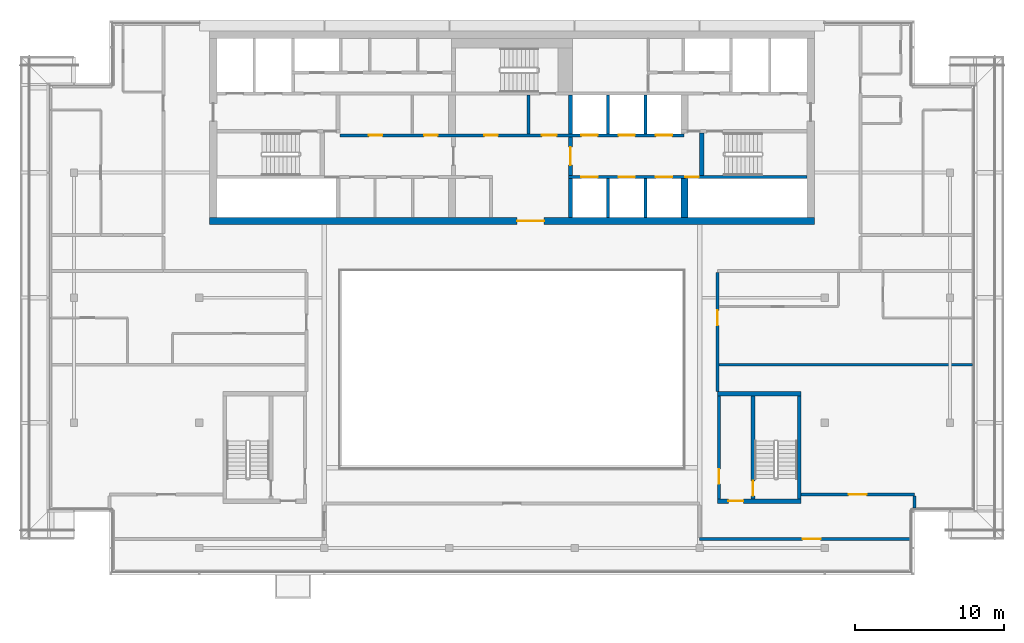
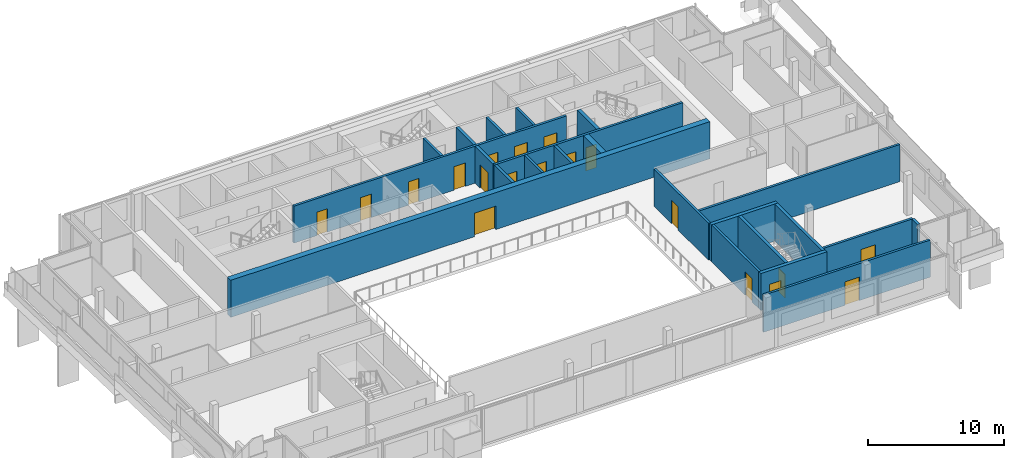
# One storey, part 12 of 19: 23 walls, 19 doors, 19 openings.
"""IFC4 building model written with IfcOpenShell, lengths in metres."""

from ifc_helpers import new_model, si_unit, direction, frame, frame_2d, origin, place, context, subcontext, project, spatial, rectangle, extrude, material, layer, layer_set, type_object, element, fill, save


model = new_model("IFC4")

# Units and contexts
model_context = context("Model", 3, precision=1e-05, world=origin(), true_north=direction((0.0, 1.0)))
body_context = subcontext(model_context, "Body", "Model", "MODEL_VIEW")
ifc_project = project(units=[si_unit("LENGTHUNIT", "METRE"), si_unit("AREAUNIT", "SQUARE_METRE"), si_unit("VOLUMEUNIT", "CUBIC_METRE"), si_unit("PLANEANGLEUNIT", "RADIAN"), si_unit("MASSUNIT", "GRAM", prefix="KILO")], contexts=[model_context])

# Site, building, storey
site_placement = place(None, origin())
site = spatial("IfcSite", under=ifc_project, at=site_placement, CompositionType="ELEMENT")
building_placement = place(site_placement, origin())
building = spatial("IfcBuilding", under=site, at=building_placement, Name="Saffron Gate Tower", CompositionType="ELEMENT")
storey_placement = place(building_placement, frame((0.0, 0.0, 292.35009765625)))
storey = spatial("IfcBuildingStorey", under=building, at=storey_placement, Name="L71", CompositionType="ELEMENT", Elevation=292.35009765625)

# Wall
ifc_material_1 = material(Name="Gypsum board partition on steel studs", Category="steel")
ifc_layer_1 = layer(ifc_material_1, 0.199951171875)
ifc_layer_set_1 = layer_set([ifc_layer_1], Name="CW10 Core partition 200")
wall_type_1 = type_object("IfcWallType", Name="CW10 Core partition 200", PredefinedType="PARTITIONING", material=ifc_layer_set_1)
wall_1_placement = place(storey_placement, frame((88.699951171875, 68.0, 0.0), z_axis=(0.0, 0.0, 1.0), x_axis=(0.0, 1.0, 0.0)))
element("IfcWall", 1, at=wall_1_placement, inside=storey, type_object=wall_type_1, Name="Wall CW10-L71-23", PredefinedType="PARTITIONING", context=body_context, shape_type="SweptSolid", body=[
    extrude(rectangle(XDim=2.60009765625, YDim=0.199951171875, at=frame_2d((1.300048828125, 0.0))), origin(), (0.0, 0.0, 1.0), 3.31982421875),
])

# Wall, opening, door
wall_2_placement = place(storey_placement, frame((101.5, 43.5, 0.0), z_axis=(0.0, 0.0, 1.0), x_axis=(0.0, 1.0, 0.0)))
wall_2 = element("IfcWall", 2, at=wall_2_placement, inside=storey, type_object=wall_type_1, Name="Wall CW10-L71-E-2", PredefinedType="PARTITIONING", context=body_context, shape_type="SweptSolid", body=[
    extrude(rectangle(XDim=6.89990234375, YDim=0.199951171875, at=frame_2d((3.449951171875, 0.0))), origin(), (0.0, 0.0, 1.0), 3.31982421875),
])
opening_1_placement = place(wall_2_placement, frame((1.0, 0.0, 0.0)))
opening_1 = element("IfcOpeningElement", 3, at=opening_1_placement, cuts=wall_2, Name="Opening CR-22", PredefinedType="OPENING", context=body_context, shape_type="SweptSolid", body=[
    extrude(rectangle(XDim=1.0, YDim=2.10009765625, at=frame_2d((0.5, 1.050048828125))), frame((0.0, 0.10986328125, 0.0), z_axis=(0.0, -1.0, 0.0), x_axis=(1.0, 0.0, 0.0)), (0.0, 0.0, 1.0), 0.219970703125),
])
ifc_material_2 = material(Name="Steel fire door set", Category="steel")
door_type_1 = type_object("IfcDoorType", Name="CD4 Lobby door 1000x2100 EI 120", OperationType="NOTDEFINED", PredefinedType="DOOR", material=ifc_material_2)
door_1_placement = place(opening_1_placement, origin())
door_1 = element("IfcDoor", 4, at=door_1_placement, inside=storey, type_object=door_type_1, Name="DOOR CR-22", OperationType="SINGLE_SWING_LEFT", OverallHeight=2.10009765625, OverallWidth=1.0, PredefinedType="DOOR", context=body_context, shape_type="SweptSolid", body=[
    extrude(rectangle(XDim=1.0, YDim=2.10009765625, at=frame_2d((0.5, 1.050048828125))), frame((0.0, 0.02490234375, 0.0), z_axis=(0.0, -1.0, 0.0), x_axis=(1.0, 0.0, 0.0)), (0.0, 0.0, 1.0), 0.050048828125),
])
fill(opening_1, door_1)

ifc_material_3 = material(Name="Concrete C50", Category="concrete")
ifc_layer_2 = layer(ifc_material_3, 0.5)
ifc_layer_set_2 = layer_set([ifc_layer_2], Name="CW22 RC core wall 500 C50")
wall_type_2 = type_object("IfcWallType", Name="CW22 RC core wall 500 C50", PredefinedType="SOLIDWALL", material=ifc_layer_set_2)
wall_3_placement = place(storey_placement, frame((67.300048828125, 62.14990234375, 0.0), z_axis=(0.0, 0.0, 1.0), x_axis=(1.0, 0.0, 0.0)))
wall_3 = element("IfcWall", 5, at=wall_3_placement, inside=storey, type_object=wall_type_2, Name="Wall CW22-L71-1", PredefinedType="SOLIDWALL", context=body_context, shape_type="SweptSolid", body=[
    extrude(rectangle(XDim=40.599853515625, YDim=0.5, at=frame_2d((20.2998046875, 0.0))), origin(), (0.0, 0.0, 1.0), 3.31982421875),
])
opening_2_placement = place(wall_3_placement, frame((20.64990234375, 0.0, 0.0)))
opening_2 = element("IfcOpeningElement", 6, at=opening_2_placement, cuts=wall_3, Name="Opening CR-09", PredefinedType="OPENING", context=body_context, shape_type="SweptSolid", body=[
    extrude(rectangle(XDim=1.800048828125, YDim=2.10009765625, at=frame_2d((0.89990234375, 1.050048828125))), frame((0.0, 0.260009765625, 0.0), z_axis=(0.0, -1.0, 0.0), x_axis=(1.0, 0.0, 0.0)), (0.0, 0.0, 1.0), 0.52001953125),
])
door_type_2 = type_object("IfcDoorType", Name="CD1 Core entrance door 1800x2100 EI 120", OperationType="NOTDEFINED", PredefinedType="DOOR", material=ifc_material_2)
door_2_placement = place(opening_2_placement, origin())
door_2 = element("IfcDoor", 7, at=door_2_placement, inside=storey, type_object=door_type_2, Name="DOOR CR-09", OperationType="DOUBLE_DOOR_SINGLE_SWING", OverallHeight=2.10009765625, OverallWidth=1.800048828125, PredefinedType="DOOR", context=body_context, shape_type="SweptSolid", body=[
    extrude(rectangle(XDim=1.800048828125, YDim=2.10009765625, at=frame_2d((0.89990234375, 1.050048828125))), frame((0.0, 0.02490234375, 0.0), z_axis=(0.0, -1.0, 0.0), x_axis=(1.0, 0.0, 0.0)), (0.0, 0.0, 1.0), 0.050048828125),
])
fill(opening_2, door_2)

# Wall
ifc_layer_3 = layer(ifc_material_3, 0.25)
ifc_layer_set_3 = layer_set([ifc_layer_3], Name="CW23 RC core wall 250 C50")
wall_type_3 = type_object("IfcWallType", Name="CW23 RC core wall 250 C50", PredefinedType="SOLIDWALL", material=ifc_layer_set_3)
wall_4_placement = place(storey_placement, frame((91.52490234375, 62.39990234375, 0.0), z_axis=(0.0, 0.0, 1.0), x_axis=(0.0, 1.0, 0.0)))
element("IfcWall", 8, at=wall_4_placement, inside=storey, type_object=wall_type_3, Name="Wall CW23-L71-10", PredefinedType="SOLIDWALL", context=body_context, shape_type="SweptSolid", body=[
    extrude(rectangle(XDim=2.60009765625, YDim=0.25, at=frame_2d((1.300048828125, 0.0))), origin(), (0.0, 0.0, 1.0), 3.31982421875),
])

# Wall, opening, door
wall_5_placement = place(storey_placement, frame((91.52490234375, 65.199951171875, 0.0), z_axis=(0.0, 0.0, 1.0), x_axis=(0.0, 1.0, 0.0)))
wall_5 = element("IfcWall", 9, at=wall_5_placement, inside=storey, type_object=wall_type_3, Name="Wall CW23-L71-18", PredefinedType="SOLIDWALL", context=body_context, shape_type="SweptSolid", body=[
    extrude(rectangle(XDim=2.60009765625, YDim=0.25, at=frame_2d((1.300048828125, 0.0))), origin(), (0.0, 0.0, 1.0), 3.31982421875),
])
opening_3_placement = place(wall_5_placement, frame((0.699951171875, 0.0, 0.0)))
opening_3 = element("IfcOpeningElement", 10, at=opening_3_placement, cuts=wall_5, Name="Opening CR-01", PredefinedType="OPENING", context=body_context, shape_type="SweptSolid", body=[
    extrude(rectangle(XDim=1.199951171875, YDim=2.10009765625, at=frame_2d((0.60009765625, 1.050048828125))), frame((0.0, 0.135009765625, 0.0), z_axis=(0.0, -1.0, 0.0), x_axis=(1.0, 0.0, 0.0)), (0.0, 0.0, 1.0), 0.27001953125),
])
door_type_3 = type_object("IfcDoorType", Name="CD3 Lobby door 1200x2100 EI 120", OperationType="NOTDEFINED", PredefinedType="DOOR", material=ifc_material_2)
door_3_placement = place(opening_3_placement, origin())
door_3 = element("IfcDoor", 11, at=door_3_placement, inside=storey, type_object=door_type_3, Name="DOOR CR-01", OperationType="SINGLE_SWING_RIGHT", OverallHeight=2.10009765625, OverallWidth=1.199951171875, PredefinedType="DOOR", context=body_context, shape_type="SweptSolid", body=[
    extrude(rectangle(XDim=1.199951171875, YDim=2.10009765625, at=frame_2d((0.60009765625, 1.050048828125))), frame((0.0, 0.02490234375, 0.0), z_axis=(0.0, -1.0, 0.0), x_axis=(1.0, 0.0, 0.0)), (0.0, 0.0, 1.0), 0.050048828125),
])
fill(opening_3, door_3)

# Wall
wall_6_placement = place(storey_placement, frame((91.52490234375, 68.0, 0.0), z_axis=(0.0, 0.0, 1.0), x_axis=(0.0, 1.0, 0.0)))
element("IfcWall", 12, at=wall_6_placement, inside=storey, type_object=wall_type_3, Name="Wall CW23-L71-24", PredefinedType="SOLIDWALL", context=body_context, shape_type="SweptSolid", body=[
    extrude(rectangle(XDim=2.60009765625, YDim=0.25, at=frame_2d((1.300048828125, 0.0))), origin(), (0.0, 0.0, 1.0), 3.31982421875),
])

# Wall, opening, door
wall_7_placement = place(storey_placement, frame((103.77490234375, 43.5, 0.0), z_axis=(0.0, 0.0, 1.0), x_axis=(0.0, 1.0, 0.0)))
wall_7 = element("IfcWall", 13, at=wall_7_placement, inside=storey, type_object=wall_type_3, Name="Wall CW23-L71-E-3", PredefinedType="SOLIDWALL", context=body_context, shape_type="SweptSolid", body=[
    extrude(rectangle(XDim=6.89990234375, YDim=0.25, at=frame_2d((3.449951171875, 0.0))), origin(), (0.0, 0.0, 1.0), 3.31982421875),
])
opening_4_placement = place(wall_7_placement, frame((0.199951171875, 0.0, 0.0)))
opening_4 = element("IfcOpeningElement", 14, at=opening_4_placement, cuts=wall_7, Name="Opening CR-23", PredefinedType="OPENING", context=body_context, shape_type="SweptSolid", body=[
    extrude(rectangle(XDim=1.0, YDim=2.10009765625, at=frame_2d((0.5, 1.050048828125))), frame((0.0, 0.135009765625, 0.0), z_axis=(0.0, -1.0, 0.0), x_axis=(1.0, 0.0, 0.0)), (0.0, 0.0, 1.0), 0.27001953125),
])
door_type_4 = type_object("IfcDoorType", Name="CD5 Stair door 1000x2100 EI 120", OperationType="NOTDEFINED", PredefinedType="DOOR", material=ifc_material_2)
door_4_placement = place(opening_4_placement, origin())
door_4 = element("IfcDoor", 15, at=door_4_placement, inside=storey, type_object=door_type_4, Name="DOOR CR-23", OperationType="SINGLE_SWING_RIGHT", OverallHeight=2.10009765625, OverallWidth=1.0, PredefinedType="DOOR", context=body_context, shape_type="SweptSolid", body=[
    extrude(rectangle(XDim=1.0, YDim=2.10009765625, at=frame_2d((0.5, 1.050048828125))), frame((0.0, 0.02490234375, 0.0), z_axis=(0.0, -1.0, 0.0), x_axis=(1.0, 0.0, 0.0)), (0.0, 0.0, 1.0), 0.050048828125),
])
fill(opening_4, door_4)

# Walls
wall_8_placement = place(storey_placement, frame((106.875, 43.5, 0.0), z_axis=(0.0, 0.0, 1.0), x_axis=(0.0, 1.0, 0.0)))
element("IfcWall", 16, at=wall_8_placement, inside=storey, type_object=wall_type_3, Name="Wall CW23-L71-E-4", PredefinedType="SOLIDWALL", context=body_context, shape_type="SweptSolid", body=[
    extrude(rectangle(XDim=6.89990234375, YDim=0.25, at=frame_2d((3.449951171875, 0.0))), origin(), (0.0, 0.0, 1.0), 3.31982421875),
])
ifc_layer_4 = layer(ifc_material_3, 0.449951171875)
ifc_layer_set_4 = layer_set([ifc_layer_4], Name="CW24 RC core wall 450 C50")
wall_type_4 = type_object("IfcWallType", Name="CW24 RC core wall 450 C50", PredefinedType="SOLIDWALL", material=ifc_layer_set_4)
wall_9_placement = place(storey_placement, frame((99.175048828125, 62.39990234375, 0.0), z_axis=(0.0, 0.0, 1.0), x_axis=(0.0, 1.0, 0.0)))
element("IfcWall", 17, at=wall_9_placement, inside=storey, type_object=wall_type_4, Name="Wall CW24-L71-13", PredefinedType="SOLIDWALL", context=body_context, shape_type="SweptSolid", body=[
    extrude(rectangle(XDim=2.60009765625, YDim=0.449951171875, at=frame_2d((1.300048828125, 0.0))), origin(), (0.0, 0.0, 1.0), 3.31982421875),
])
ifc_layer_5 = layer(ifc_material_3, 0.199951171875)
ifc_layer_set_5 = layer_set([ifc_layer_5], Name="CW25 RC core wall 200 C50")
wall_type_5 = type_object("IfcWallType", Name="CW25 RC core wall 200 C50", PredefinedType="SOLIDWALL", material=ifc_layer_set_5)
for number, where, z_axis, x_axis, name in (
    (18, (94.050048828125, 62.39990234375, 0.0), (0.0, 0.0, 1.0), (0.0, 1.0, 0.0), "Wall CW25-L71-11"),
    (19, (96.550048828125, 62.39990234375, 0.0), (0.0, 0.0, 1.0), (0.0, 1.0, 0.0), "Wall CW25-L71-12"),
):
    element("IfcWall", number, at=place(storey_placement, frame(where, z_axis=z_axis, x_axis=x_axis)), inside=storey, type_object=wall_type_5, Name=name, PredefinedType="SOLIDWALL", context=body_context, shape_type="SweptSolid", body=[
        extrude(rectangle(XDim=2.60009765625, YDim=0.199951171875, at=frame_2d((1.300048828125, 0.0))), origin(), (0.0, 0.0, 1.0), 3.31982421875),
    ])

# Wall, openings, doors
wall_10_placement = place(storey_placement, frame((91.39990234375, 65.10009765625, 0.0), z_axis=(0.0, 0.0, 1.0), x_axis=(1.0, 0.0, 0.0)))
wall_10 = element("IfcWall", 20, at=wall_10_placement, inside=storey, type_object=wall_type_5, Name="Wall CW25-L71-15", PredefinedType="SOLIDWALL", context=body_context, shape_type="SweptSolid", body=[
    extrude(rectangle(XDim=16.0, YDim=0.199951171875, at=frame_2d((8.0, 0.0))), origin(), (0.0, 0.0, 1.0), 3.31982421875),
])
opening_5_placement = place(wall_10_placement, frame((0.85009765625, 0.0, 0.0)))
opening_5 = element("IfcOpeningElement", 21, at=opening_5_placement, cuts=wall_10, Name="Opening LD-HR1", PredefinedType="OPENING", context=body_context, shape_type="SweptSolid", body=[
    extrude(rectangle(XDim=1.10009765625, YDim=2.10009765625, at=frame_2d((0.550048828125, 1.050048828125))), frame((0.0, 0.10986328125, 0.0), z_axis=(0.0, -1.0, 0.0), x_axis=(1.0, 0.0, 0.0)), (0.0, 0.0, 1.0), 0.219970703125),
])
opening_6_placement = place(wall_10_placement, frame((3.35009765625, 0.0, 0.0)))
opening_6 = element("IfcOpeningElement", 22, at=opening_6_placement, cuts=wall_10, Name="Opening LD-HR2", PredefinedType="OPENING", context=body_context, shape_type="SweptSolid", body=[
    extrude(rectangle(XDim=1.10009765625, YDim=2.10009765625, at=frame_2d((0.550048828125, 1.050048828125))), frame((0.0, 0.10986328125, 0.0), z_axis=(0.0, -1.0, 0.0), x_axis=(1.0, 0.0, 0.0)), (0.0, 0.0, 1.0), 0.219970703125),
])
opening_7_placement = place(wall_10_placement, frame((5.85009765625, 0.0, 0.0)))
opening_7 = element("IfcOpeningElement", 23, at=opening_7_placement, cuts=wall_10, Name="Opening LD-HR3", PredefinedType="OPENING", context=body_context, shape_type="SweptSolid", body=[
    extrude(rectangle(XDim=1.10009765625, YDim=2.10009765625, at=frame_2d((0.550048828125, 1.050048828125))), frame((0.0, 0.10986328125, 0.0), z_axis=(0.0, -1.0, 0.0), x_axis=(1.0, 0.0, 0.0)), (0.0, 0.0, 1.0), 0.219970703125),
])
opening_8_placement = place(wall_10_placement, frame((7.830078125, 0.0, 0.0)))
opening_8 = element("IfcOpeningElement", 24, at=opening_8_placement, cuts=wall_10, Name="Opening CR-48", PredefinedType="OPENING", context=body_context, shape_type="SweptSolid", body=[
    extrude(rectangle(XDim=0.89990234375, YDim=2.10009765625, at=frame_2d((0.449951171875, 1.050048828125))), frame((0.0, 0.10986328125, 0.0), z_axis=(0.0, -1.0, 0.0), x_axis=(1.0, 0.0, 0.0)), (0.0, 0.0, 1.0), 0.219970703125),
])
door_type_5 = type_object("IfcDoorType", Name="CD2 Riser door 900x2100 EI 60", OperationType="NOTDEFINED", PredefinedType="DOOR", material=ifc_material_2)
door_5_placement = place(opening_8_placement, origin())
door_5 = element("IfcDoor", 25, at=door_5_placement, inside=storey, type_object=door_type_5, Name="DOOR CR-48", OperationType="SINGLE_SWING_RIGHT", OverallHeight=2.10009765625, OverallWidth=0.89990234375, PredefinedType="DOOR", context=body_context, shape_type="SweptSolid", body=[
    extrude(rectangle(XDim=0.89990234375, YDim=2.10009765625, at=frame_2d((0.449951171875, 1.050048828125))), frame((0.0, 0.02490234375, 0.0), z_axis=(0.0, -1.0, 0.0), x_axis=(1.0, 0.0, 0.0)), (0.0, 0.0, 1.0), 0.050048828125),
])
fill(opening_8, door_5)
ifc_material_4 = material(Name="Stainless steel landing door", Category="steel")
door_type_6 = type_object("IfcDoorType", Name="LD Lift landing door 1100x2100 EI 120", OperationType="SLIDING_TO_LEFT", PredefinedType="DOOR", material=ifc_material_4)
door_6_placement = place(opening_5_placement, origin())
door_6 = element("IfcDoor", 26, at=door_6_placement, inside=storey, type_object=door_type_6, Name="LANDING DOOR LD-HR1", OperationType="SLIDING_TO_LEFT", OverallHeight=2.10009765625, OverallWidth=1.10009765625, PredefinedType="DOOR", context=body_context, shape_type="SweptSolid", body=[
    extrude(rectangle(XDim=1.10009765625, YDim=2.10009765625, at=frame_2d((0.550048828125, 1.050048828125))), frame((0.0, 0.02490234375, 0.0), z_axis=(0.0, -1.0, 0.0), x_axis=(1.0, 0.0, 0.0)), (0.0, 0.0, 1.0), 0.050048828125),
])
fill(opening_5, door_6)
door_7_placement = place(opening_6_placement, origin())
door_7 = element("IfcDoor", 27, at=door_7_placement, inside=storey, type_object=door_type_6, Name="LANDING DOOR LD-HR2", OperationType="SLIDING_TO_LEFT", OverallHeight=2.10009765625, OverallWidth=1.10009765625, PredefinedType="DOOR", context=body_context, shape_type="SweptSolid", body=[
    extrude(rectangle(XDim=1.10009765625, YDim=2.10009765625, at=frame_2d((0.550048828125, 1.050048828125))), frame((0.0, 0.02490234375, 0.0), z_axis=(0.0, -1.0, 0.0), x_axis=(1.0, 0.0, 0.0)), (0.0, 0.0, 1.0), 0.050048828125),
])
fill(opening_6, door_7)
door_8_placement = place(opening_7_placement, origin())
door_8 = element("IfcDoor", 28, at=door_8_placement, inside=storey, type_object=door_type_6, Name="LANDING DOOR LD-HR3", OperationType="SLIDING_TO_LEFT", OverallHeight=2.10009765625, OverallWidth=1.10009765625, PredefinedType="DOOR", context=body_context, shape_type="SweptSolid", body=[
    extrude(rectangle(XDim=1.10009765625, YDim=2.10009765625, at=frame_2d((0.550048828125, 1.050048828125))), frame((0.0, 0.02490234375, 0.0), z_axis=(0.0, -1.0, 0.0), x_axis=(1.0, 0.0, 0.0)), (0.0, 0.0, 1.0), 0.050048828125),
])
fill(opening_7, door_8)

wall_11_placement = place(storey_placement, frame((76.050048828125, 67.89990234375, 0.0), z_axis=(0.0, 0.0, 1.0), x_axis=(1.0, 0.0, 0.0)))
wall_11 = element("IfcWall", 29, at=wall_11_placement, inside=storey, type_object=wall_type_5, Name="Wall CW25-L71-20", PredefinedType="SOLIDWALL", context=body_context, shape_type="SweptSolid", body=[
    extrude(rectangle(XDim=23.099853515625, YDim=0.199951171875, at=frame_2d((11.5498046875, 0.0))), origin(), (0.0, 0.0, 1.0), 3.31982421875),
])
opening_9_placement = place(wall_11_placement, frame((1.949951171875, 0.0, 0.0)))
opening_9 = element("IfcOpeningElement", 30, at=opening_9_placement, cuts=wall_11, Name="Opening CR-61", PredefinedType="OPENING", context=body_context, shape_type="SweptSolid", body=[
    extrude(rectangle(XDim=0.89990234375, YDim=2.10009765625, at=frame_2d((0.449951171875, 1.050048828125))), frame((0.0, 0.10986328125, 0.0), z_axis=(0.0, -1.0, 0.0), x_axis=(1.0, 0.0, 0.0)), (0.0, 0.0, 1.0), 0.219970703125),
])
opening_10_placement = place(wall_11_placement, frame((5.659912109375, 0.0, 0.0)))
opening_10 = element("IfcOpeningElement", 31, at=opening_10_placement, cuts=wall_11, Name="Opening CR-62", PredefinedType="OPENING", context=body_context, shape_type="SweptSolid", body=[
    extrude(rectangle(XDim=0.89990234375, YDim=2.10009765625, at=frame_2d((0.449951171875, 1.050048828125))), frame((0.0, 0.10986328125, 0.0), z_axis=(0.0, -1.0, 0.0), x_axis=(1.0, 0.0, 0.0)), (0.0, 0.0, 1.0), 0.219970703125),
])
opening_11_placement = place(wall_11_placement, frame((9.699951171875, 0.0, 0.0)))
opening_11 = element("IfcOpeningElement", 32, at=opening_11_placement, cuts=wall_11, Name="Opening CR-67", PredefinedType="OPENING", context=body_context, shape_type="SweptSolid", body=[
    extrude(rectangle(XDim=0.89990234375, YDim=2.10009765625, at=frame_2d((0.449951171875, 1.050048828125))), frame((0.0, 0.10986328125, 0.0), z_axis=(0.0, -1.0, 0.0), x_axis=(1.0, 0.0, 0.0)), (0.0, 0.0, 1.0), 0.219970703125),
])
opening_12_placement = place(wall_11_placement, frame((13.550048828125, 0.0, 0.0)))
opening_12 = element("IfcOpeningElement", 33, at=opening_12_placement, cuts=wall_11, Name="Opening CR-02", PredefinedType="OPENING", context=body_context, shape_type="SweptSolid", body=[
    extrude(rectangle(XDim=1.0, YDim=2.10009765625, at=frame_2d((0.5, 1.050048828125))), frame((0.0, 0.10986328125, 0.0), z_axis=(0.0, -1.0, 0.0), x_axis=(1.0, 0.0, 0.0)), (0.0, 0.0, 1.0), 0.219970703125),
])
opening_13_placement = place(wall_11_placement, frame((16.199951171875, 0.0, 0.0)))
opening_13 = element("IfcOpeningElement", 34, at=opening_13_placement, cuts=wall_11, Name="Opening LD-HR4", PredefinedType="OPENING", context=body_context, shape_type="SweptSolid", body=[
    extrude(rectangle(XDim=1.10009765625, YDim=2.10009765625, at=frame_2d((0.550048828125, 1.050048828125))), frame((0.0, 0.10986328125, 0.0), z_axis=(0.0, -1.0, 0.0), x_axis=(1.0, 0.0, 0.0)), (0.0, 0.0, 1.0), 0.219970703125),
])
opening_14_placement = place(wall_11_placement, frame((18.699951171875, 0.0, 0.0)))
opening_14 = element("IfcOpeningElement", 35, at=opening_14_placement, cuts=wall_11, Name="Opening LD-HR5", PredefinedType="OPENING", context=body_context, shape_type="SweptSolid", body=[
    extrude(rectangle(XDim=1.10009765625, YDim=2.10009765625, at=frame_2d((0.550048828125, 1.050048828125))), frame((0.0, 0.10986328125, 0.0), z_axis=(0.0, -1.0, 0.0), x_axis=(1.0, 0.0, 0.0)), (0.0, 0.0, 1.0), 0.219970703125),
])
opening_15_placement = place(wall_11_placement, frame((21.199951171875, 0.0, 0.0)))
opening_15 = element("IfcOpeningElement", 36, at=opening_15_placement, cuts=wall_11, Name="Opening LD-HR6", PredefinedType="OPENING", context=body_context, shape_type="SweptSolid", body=[
    extrude(rectangle(XDim=1.10009765625, YDim=2.10009765625, at=frame_2d((0.550048828125, 1.050048828125))), frame((0.0, 0.10986328125, 0.0), z_axis=(0.0, -1.0, 0.0), x_axis=(1.0, 0.0, 0.0)), (0.0, 0.0, 1.0), 0.219970703125),
])
door_9_placement = place(opening_12_placement, origin())
door_9 = element("IfcDoor", 37, at=door_9_placement, inside=storey, type_object=door_type_1, Name="DOOR CR-02", OperationType="SINGLE_SWING_LEFT", OverallHeight=2.10009765625, OverallWidth=1.0, PredefinedType="DOOR", context=body_context, shape_type="SweptSolid", body=[
    extrude(rectangle(XDim=1.0, YDim=2.10009765625, at=frame_2d((0.5, 1.050048828125))), frame((0.0, 0.02490234375, 0.0), z_axis=(0.0, -1.0, 0.0), x_axis=(1.0, 0.0, 0.0)), (0.0, 0.0, 1.0), 0.050048828125),
])
fill(opening_12, door_9)
door_type_7 = type_object("IfcDoorType", Name="CD9 Room door 900x2100 EI 60", OperationType="NOTDEFINED", PredefinedType="DOOR", material=ifc_material_2)
door_10_placement = place(opening_9_placement, origin())
door_10 = element("IfcDoor", 38, at=door_10_placement, inside=storey, type_object=door_type_7, Name="DOOR CR-61", OperationType="SINGLE_SWING_LEFT", OverallHeight=2.10009765625, OverallWidth=0.89990234375, PredefinedType="DOOR", context=body_context, shape_type="SweptSolid", body=[
    extrude(rectangle(XDim=0.89990234375, YDim=2.10009765625, at=frame_2d((0.449951171875, 1.050048828125))), frame((0.0, 0.02490234375, 0.0), z_axis=(0.0, -1.0, 0.0), x_axis=(1.0, 0.0, 0.0)), (0.0, 0.0, 1.0), 0.050048828125),
])
fill(opening_9, door_10)
door_11_placement = place(opening_10_placement, origin())
door_11 = element("IfcDoor", 39, at=door_11_placement, inside=storey, type_object=door_type_7, Name="DOOR CR-62", OperationType="SINGLE_SWING_LEFT", OverallHeight=2.10009765625, OverallWidth=0.89990234375, PredefinedType="DOOR", context=body_context, shape_type="SweptSolid", body=[
    extrude(rectangle(XDim=0.89990234375, YDim=2.10009765625, at=frame_2d((0.449951171875, 1.050048828125))), frame((0.0, 0.02490234375, 0.0), z_axis=(0.0, -1.0, 0.0), x_axis=(1.0, 0.0, 0.0)), (0.0, 0.0, 1.0), 0.050048828125),
])
fill(opening_10, door_11)
door_12_placement = place(opening_11_placement, origin())
door_12 = element("IfcDoor", 40, at=door_12_placement, inside=storey, type_object=door_type_7, Name="DOOR CR-67", OperationType="SINGLE_SWING_LEFT", OverallHeight=2.10009765625, OverallWidth=0.89990234375, PredefinedType="DOOR", context=body_context, shape_type="SweptSolid", body=[
    extrude(rectangle(XDim=0.89990234375, YDim=2.10009765625, at=frame_2d((0.449951171875, 1.050048828125))), frame((0.0, 0.02490234375, 0.0), z_axis=(0.0, -1.0, 0.0), x_axis=(1.0, 0.0, 0.0)), (0.0, 0.0, 1.0), 0.050048828125),
])
fill(opening_11, door_12)
door_13_placement = place(opening_13_placement, origin())
door_13 = element("IfcDoor", 41, at=door_13_placement, inside=storey, type_object=door_type_6, Name="LANDING DOOR LD-HR4", OperationType="SLIDING_TO_RIGHT", OverallHeight=2.10009765625, OverallWidth=1.10009765625, PredefinedType="DOOR", context=body_context, shape_type="SweptSolid", body=[
    extrude(rectangle(XDim=1.10009765625, YDim=2.10009765625, at=frame_2d((0.550048828125, 1.050048828125))), frame((0.0, 0.02490234375, 0.0), z_axis=(0.0, -1.0, 0.0), x_axis=(1.0, 0.0, 0.0)), (0.0, 0.0, 1.0), 0.050048828125),
])
fill(opening_13, door_13)
door_14_placement = place(opening_14_placement, origin())
door_14 = element("IfcDoor", 42, at=door_14_placement, inside=storey, type_object=door_type_6, Name="LANDING DOOR LD-HR5", OperationType="SLIDING_TO_RIGHT", OverallHeight=2.10009765625, OverallWidth=1.10009765625, PredefinedType="DOOR", context=body_context, shape_type="SweptSolid", body=[
    extrude(rectangle(XDim=1.10009765625, YDim=2.10009765625, at=frame_2d((0.550048828125, 1.050048828125))), frame((0.0, 0.02490234375, 0.0), z_axis=(0.0, -1.0, 0.0), x_axis=(1.0, 0.0, 0.0)), (0.0, 0.0, 1.0), 0.050048828125),
])
fill(opening_14, door_14)
door_15_placement = place(opening_15_placement, origin())
door_15 = element("IfcDoor", 43, at=door_15_placement, inside=storey, type_object=door_type_6, Name="LANDING DOOR LD-HR6", OperationType="SLIDING_TO_RIGHT", OverallHeight=2.10009765625, OverallWidth=1.10009765625, PredefinedType="DOOR", context=body_context, shape_type="SweptSolid", body=[
    extrude(rectangle(XDim=1.10009765625, YDim=2.10009765625, at=frame_2d((0.550048828125, 1.050048828125))), frame((0.0, 0.02490234375, 0.0), z_axis=(0.0, -1.0, 0.0), x_axis=(1.0, 0.0, 0.0)), (0.0, 0.0, 1.0), 0.050048828125),
])
fill(opening_15, door_15)

# Walls
for number, where, z_axis, x_axis, name in (
    (44, (94.050048828125, 68.0, 0.0), (0.0, 0.0, 1.0), (0.0, 1.0, 0.0), "Wall CW25-L71-25"),
    (45, (96.550048828125, 68.0, 0.0), (0.0, 0.0, 1.0), (0.0, 1.0, 0.0), "Wall CW25-L71-26"),
):
    element("IfcWall", number, at=place(storey_placement, frame(where, z_axis=z_axis, x_axis=x_axis)), inside=storey, type_object=wall_type_5, Name=name, PredefinedType="SOLIDWALL", context=body_context, shape_type="SweptSolid", body=[
        extrude(rectangle(XDim=2.60009765625, YDim=0.199951171875, at=frame_2d((1.300048828125, 0.0))), origin(), (0.0, 0.0, 1.0), 3.31982421875),
    ])
ifc_layer_6 = layer(ifc_material_3, 0.300048828125)
ifc_layer_set_6 = layer_set([ifc_layer_6], Name="CW26 RC core wall 300 C50")
wall_type_6 = type_object("IfcWallType", Name="CW26 RC core wall 300 C50", PredefinedType="SOLIDWALL", material=ifc_layer_set_6)
wall_12_placement = place(storey_placement, frame((100.35009765625, 65.199951171875, 0.0), z_axis=(0.0, 0.0, 1.0), x_axis=(0.0, 1.0, 0.0)))
element("IfcWall", 46, at=wall_12_placement, inside=storey, type_object=wall_type_6, Name="Wall CW26-L71-19", PredefinedType="SOLIDWALL", context=body_context, shape_type="SweptSolid", body=[
    extrude(rectangle(XDim=2.85009765625, YDim=0.300048828125, at=frame_2d((1.425048828125, 0.0))), origin(), (0.0, 0.0, 1.0), 3.31982421875),
])

# Wall, opening, door
wall_13_placement = place(storey_placement, frame((101.39990234375, 43.35009765625, 0.0), z_axis=(0.0, 0.0, 1.0), x_axis=(1.0, 0.0, 0.0)))
wall_13 = element("IfcWall", 47, at=wall_13_placement, inside=storey, type_object=wall_type_6, Name="Wall CW26-L71-E-1", PredefinedType="SOLIDWALL", context=body_context, shape_type="SweptSolid", body=[
    extrude(rectangle(XDim=5.60009765625, YDim=0.300048828125, at=frame_2d((2.800048828125, 0.0))), origin(), (0.0, 0.0, 1.0), 3.31982421875),
])
opening_16_placement = place(wall_13_placement, frame((0.72509765625, 0.0, 0.0)))
opening_16 = element("IfcOpeningElement", 48, at=opening_16_placement, cuts=wall_13, Name="Opening CR-21", PredefinedType="OPENING", context=body_context, shape_type="SweptSolid", body=[
    extrude(rectangle(XDim=1.0, YDim=2.10009765625, at=frame_2d((0.5, 1.050048828125))), frame((0.0, 0.16015625, 0.0), z_axis=(0.0, -1.0, 0.0), x_axis=(1.0, 0.0, 0.0)), (0.0, 0.0, 1.0), 0.320068359375),
])
door_16_placement = place(opening_16_placement, origin())
door_16 = element("IfcDoor", 49, at=door_16_placement, inside=storey, type_object=door_type_1, Name="DOOR CR-21", OperationType="SINGLE_SWING_RIGHT", OverallHeight=2.10009765625, OverallWidth=1.0, PredefinedType="DOOR", context=body_context, shape_type="SweptSolid", body=[
    extrude(rectangle(XDim=1.0, YDim=2.10009765625, at=frame_2d((0.5, 1.050048828125))), frame((0.0, 0.02490234375, 0.0), z_axis=(0.0, -1.0, 0.0), x_axis=(1.0, 0.0, 0.0)), (0.0, 0.0, 1.0), 0.050048828125),
])
fill(opening_16, door_16)

# Wall
wall_14_placement = place(storey_placement, frame((101.39990234375, 50.550048828125, 0.0), z_axis=(0.0, 0.0, 1.0), x_axis=(1.0, 0.0, 0.0)))
element("IfcWall", 50, at=wall_14_placement, inside=storey, type_object=wall_type_6, Name="Wall CW26-L71-E-5", PredefinedType="SOLIDWALL", context=body_context, shape_type="SweptSolid", body=[
    extrude(rectangle(XDim=5.60009765625, YDim=0.300048828125, at=frame_2d((2.800048828125, 0.0))), origin(), (0.0, 0.0, 1.0), 3.31982421875),
])

# Wall, opening, door
ifc_material_5 = material(Name="Clay brick masonry, rendered", Category="masonry")
ifc_layer_7 = layer(ifc_material_5, 0.199951171875)
ifc_layer_set_7 = layer_set([ifc_layer_7], Name="PW3 Corridor wall 200")
wall_type_7 = type_object("IfcWallType", Name="PW3 Corridor wall 200", PredefinedType="PARTITIONING", material=ifc_layer_set_7)
wall_15_placement = place(storey_placement, frame((114.320068359375, 40.800048828125, 0.0), z_axis=(0.0, 0.0, 1.0), x_axis=(-1.0, 0.0, 0.0)))
wall_15 = element("IfcWall", 51, at=wall_15_placement, inside=storey, type_object=wall_type_7, Name="Wall E5-2", PredefinedType="PARTITIONING", context=body_context, shape_type="SweptSolid", body=[
    extrude(rectangle(XDim=14.1201171875, YDim=0.199951171875, at=frame_2d((7.06005859375, 0.0))), origin(), (0.0, 0.0, 1.0), 3.31982421875),
])
opening_17_placement = place(wall_15_placement, frame((6.010009765625, 0.0, 0.0)))
opening_17 = element("IfcOpeningElement", 52, at=opening_17_placement, cuts=wall_15, Name="Opening E5-16", PredefinedType="OPENING", context=body_context, shape_type="SweptSolid", body=[
    extrude(rectangle(XDim=1.199951171875, YDim=2.10009765625, at=frame_2d((0.60009765625, 1.050048828125))), frame((0.0, 0.10986328125, 0.0), z_axis=(0.0, -1.0, 0.0), x_axis=(1.0, 0.0, 0.0)), (0.0, 0.0, 1.0), 0.219970703125),
])
ifc_material_6 = material(Name="Timber door set", Category="wood")
door_type_8 = type_object("IfcDoorType", Name="HD1 Hall door 1200x2100", OperationType="NOTDEFINED", PredefinedType="DOOR", material=ifc_material_6)
door_17_placement = place(opening_17_placement, origin())
door_17 = element("IfcDoor", 53, at=door_17_placement, inside=storey, type_object=door_type_8, Name="Door E5-16", OperationType="SINGLE_SWING_RIGHT", OverallHeight=2.10009765625, OverallWidth=1.199951171875, PredefinedType="DOOR", context=body_context, shape_type="SweptSolid", body=[
    extrude(rectangle(XDim=1.199951171875, YDim=2.10009765625, at=frame_2d((0.60009765625, 1.050048828125))), frame((0.0, 0.02490234375, 0.0), z_axis=(0.0, -1.0, 0.0), x_axis=(1.0, 0.0, 0.0)), (0.0, 0.0, 1.0), 0.050048828125),
])
fill(opening_17, door_17)

wall_16_placement = place(storey_placement, frame((107.0, 43.800048828125, 0.0), z_axis=(0.0, 0.0, 1.0), x_axis=(1.0, 0.0, 0.0)))
wall_16 = element("IfcWall", 54, at=wall_16_placement, inside=storey, type_object=wall_type_7, Name="Wall E5-5", PredefinedType="PARTITIONING", context=body_context, shape_type="SweptSolid", body=[
    extrude(rectangle(XDim=7.60009765625, YDim=0.199951171875, at=frame_2d((3.800048828125, 0.0))), origin(), (0.0, 0.0, 1.0), 3.31982421875),
])
opening_18_placement = place(wall_16_placement, frame((3.199951171875, 0.0, 0.0)))
opening_18 = element("IfcOpeningElement", 55, at=opening_18_placement, cuts=wall_16, Name="Opening E5-15", PredefinedType="OPENING", context=body_context, shape_type="SweptSolid", body=[
    extrude(rectangle(XDim=1.199951171875, YDim=2.10009765625, at=frame_2d((0.60009765625, 1.050048828125))), frame((0.0, 0.10986328125, 0.0), z_axis=(0.0, -1.0, 0.0), x_axis=(1.0, 0.0, 0.0)), (0.0, 0.0, 1.0), 0.219970703125),
])
door_18_placement = place(opening_18_placement, origin())
door_18 = element("IfcDoor", 56, at=door_18_placement, inside=storey, type_object=door_type_8, Name="Door E5-15", OperationType="SINGLE_SWING_LEFT", OverallHeight=2.10009765625, OverallWidth=1.199951171875, PredefinedType="DOOR", context=body_context, shape_type="SweptSolid", body=[
    extrude(rectangle(XDim=1.199951171875, YDim=2.10009765625, at=frame_2d((0.60009765625, 1.050048828125))), frame((0.0, 0.02490234375, 0.0), z_axis=(0.0, -1.0, 0.0), x_axis=(1.0, 0.0, 0.0)), (0.0, 0.0, 1.0), 0.050048828125),
])
fill(opening_18, door_18)

wall_17_placement = place(storey_placement, frame((101.39990234375, 58.699951171875, 0.0), z_axis=(0.0, 0.0, 1.0), x_axis=(0.0, -1.0, 0.0)))
wall_17 = element("IfcWall", 57, at=wall_17_placement, inside=storey, type_object=wall_type_7, Name="Wall E5-39", PredefinedType="PARTITIONING", context=body_context, shape_type="SweptSolid", body=[
    extrude(rectangle(XDim=8.0, YDim=0.199951171875, at=frame_2d((4.0, 0.0))), origin(), (0.0, 0.0, 1.0), 3.31982421875),
])
opening_19_placement = place(wall_17_placement, frame((2.550048828125, 0.0, 0.0)))
opening_19 = element("IfcOpeningElement", 58, at=opening_19_placement, cuts=wall_17, Name="Opening E5-3", PredefinedType="OPENING", context=body_context, shape_type="SweptSolid", body=[
    extrude(rectangle(XDim=1.0, YDim=2.10009765625, at=frame_2d((0.5, 1.050048828125))), frame((0.0, 0.10986328125, 0.0), z_axis=(0.0, -1.0, 0.0), x_axis=(1.0, 0.0, 0.0)), (0.0, 0.0, 1.0), 0.219970703125),
])
ifc_material_7 = material(Name="Timber fire door set", Category="wood")
door_type_9 = type_object("IfcDoorType", Name="FD1 Flat entry door 1000x2100", OperationType="NOTDEFINED", PredefinedType="DOOR", material=ifc_material_7)
door_19_placement = place(opening_19_placement, origin())
door_19 = element("IfcDoor", 59, at=door_19_placement, inside=storey, type_object=door_type_9, Name="Door E5-3", OperationType="SINGLE_SWING_LEFT", OverallHeight=2.10009765625, OverallWidth=1.0, PredefinedType="DOOR", context=body_context, shape_type="SweptSolid", body=[
    extrude(rectangle(XDim=1.0, YDim=2.10009765625, at=frame_2d((0.5, 1.050048828125))), frame((0.0, 0.02490234375, 0.0), z_axis=(0.0, -1.0, 0.0), x_axis=(1.0, 0.0, 0.0)), (0.0, 0.0, 1.0), 0.050048828125),
])
fill(opening_19, door_19)

# Walls
wall_18_placement = place(storey_placement, frame((114.60009765625, 43.699951171875, 0.0), z_axis=(0.0, 0.0, 1.0), x_axis=(0.0, -1.0, 0.0)))
element("IfcWall", 60, at=wall_18_placement, inside=storey, type_object=wall_type_7, Name="Wall E5-46", PredefinedType="PARTITIONING", context=body_context, shape_type="SweptSolid", body=[
    extrude(rectangle(XDim=0.820068359375, YDim=0.199951171875, at=frame_2d((0.41015625, 0.0))), origin(), (0.0, 0.0, 1.0), 3.31982421875),
])
ifc_layer_8 = layer(ifc_material_5, 0.199951171875)
ifc_layer_set_8 = layer_set([ifc_layer_8], Name="PW5 Room wall 200")
wall_type_8 = type_object("IfcWallType", Name="PW5 Room wall 200", PredefinedType="PARTITIONING", material=ifc_layer_set_8)
wall_19_placement = place(storey_placement, frame((101.5, 52.5, 0.0), z_axis=(0.0, 0.0, 1.0), x_axis=(1.0, 0.0, 0.0)))
element("IfcWall", 61, at=wall_19_placement, inside=storey, type_object=wall_type_8, Name="Wall E5-7", PredefinedType="PARTITIONING", context=body_context, shape_type="SweptSolid", body=[
    extrude(rectangle(XDim=17.02001953125, YDim=0.199951171875, at=frame_2d((8.510009765625, 0.0))), origin(), (0.0, 0.0, 1.0), 3.31982421875),
])

save(model, "model.ifc")
